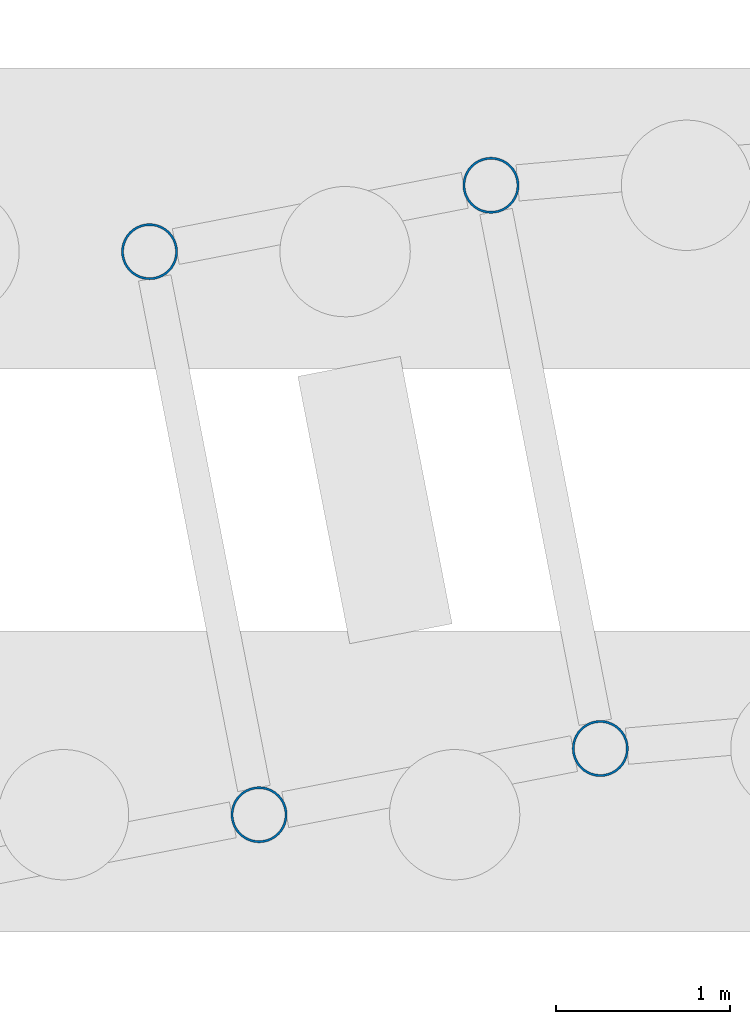
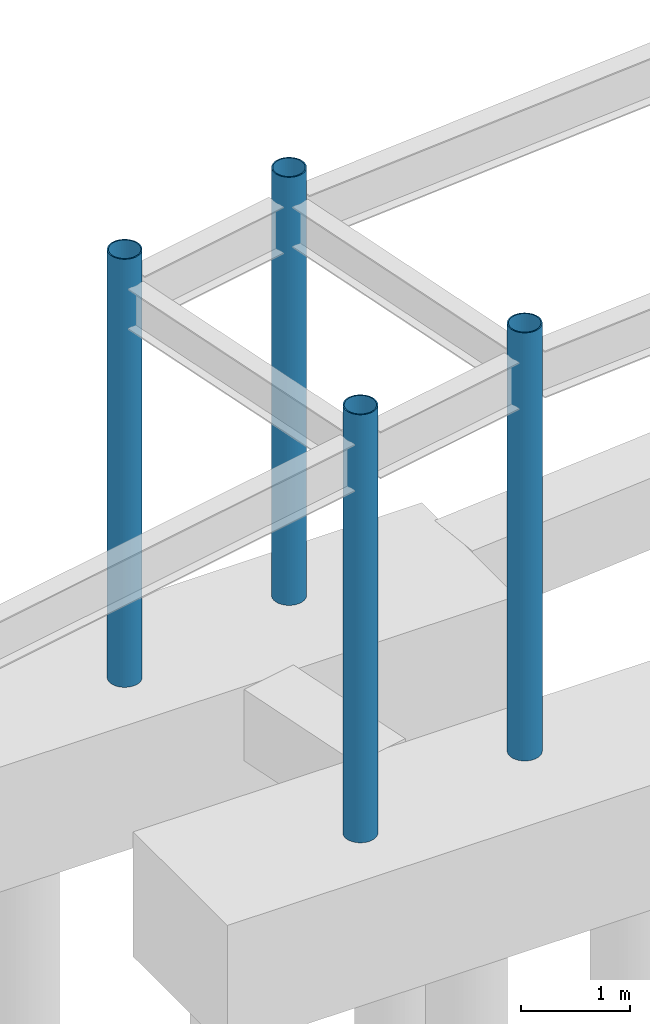
# One storey, part 18 of 68: 4 columns.
"""IFC4 building model written with IfcOpenShell, lengths in metres."""

from ifc_helpers import new_model, si_unit, direction, frame, origin, origin_2d, place, context, subcontext, project, spatial, hollow_circle, extrude, material, material_profile, profile_set, type_object, element, save


model = new_model("IFC4")

# Units and contexts
model_context = context("Model", 3, precision=1e-05, world=origin(), true_north=direction((0.0, 1.0)))
body_context = subcontext(model_context, "Body", "Model", "MODEL_VIEW")
ifc_project = project(units=[si_unit("LENGTHUNIT", "METRE"), si_unit("AREAUNIT", "SQUARE_METRE"), si_unit("VOLUMEUNIT", "CUBIC_METRE"), si_unit("PLANEANGLEUNIT", "RADIAN"), si_unit("MASSUNIT", "GRAM", prefix="KILO")], contexts=[model_context])

# Site, building, storey
site_placement = place(None, origin())
site = spatial("IfcSite", under=ifc_project, at=site_placement, CompositionType="ELEMENT")
building_placement = place(site_placement, origin())
building = spatial("IfcBuilding", under=site, at=building_placement, Name="Cinderbank Siding Concert Hall", CompositionType="ELEMENT")
storey_placement = place(building_placement, frame((0.0, 0.0, -4.800048828125)))
storey = spatial("IfcBuildingStorey", under=building, at=storey_placement, Name="B1", CompositionType="ELEMENT", Elevation=-4.800048828125)

# Columns
ifc_material = material(Name="Structural steel hollow section AS/NZS 1163 Grade C350L0 (350 MPa)", Category="steel")
ifc_material_profile = material_profile(ifc_material, hollow_circle(Radius=0.161865234375, WallThickness=0.0126953125, at=origin_2d()), Name="323.9x12.7CHS", Category="LoadBearing")
ifc_profile_set = profile_set([ifc_material_profile], Name="Structural steel hollow section AS/NZS 1163 Grade C350L0 (350 MPa)")
column_type = type_object("IfcColumnType", Name="C-CHS323 323.9x12.7CHS", PredefinedType="COLUMN", material=ifc_profile_set)
for number, where, z_axis, x_axis, name in (
    (1, (61.677978515625, 100.68408203125, 0.0), (0.0, 0.0, 1.0), (1.0, 0.0, 0.0), "B1 Column COL-BRL-01"),
    (2, (62.30810546875, 97.445068359375, 0.0), (0.0, 0.0, 1.0), (1.0, 0.0, 0.0), "B1 Column COL-BRR-01"),
    (3, (63.64208984375, 101.06591796875, 0.0), (0.0, 0.0, 1.0), (1.0, 0.0, 0.0), "B1 Column COL-BRL-02"),
    (4, (64.27099609375, 97.825927734375, 0.0), (0.0, 0.0, 1.0), (1.0, 0.0, 0.0), "B1 Column COL-BRR-02"),
):
    element("IfcColumn", number, at=place(storey_placement, frame(where, z_axis=z_axis, x_axis=x_axis)), inside=storey, type_object=column_type, Name=name, PredefinedType="COLUMN", context=body_context, shape_type="SweptSolid", body=[
        extrude(hollow_circle(Radius=0.161865234375, WallThickness=0.0126953125, at=origin_2d()), origin(), (0.0, 0.0, 1.0), 4.800048828125),
    ])

save(model, "model.ifc")
